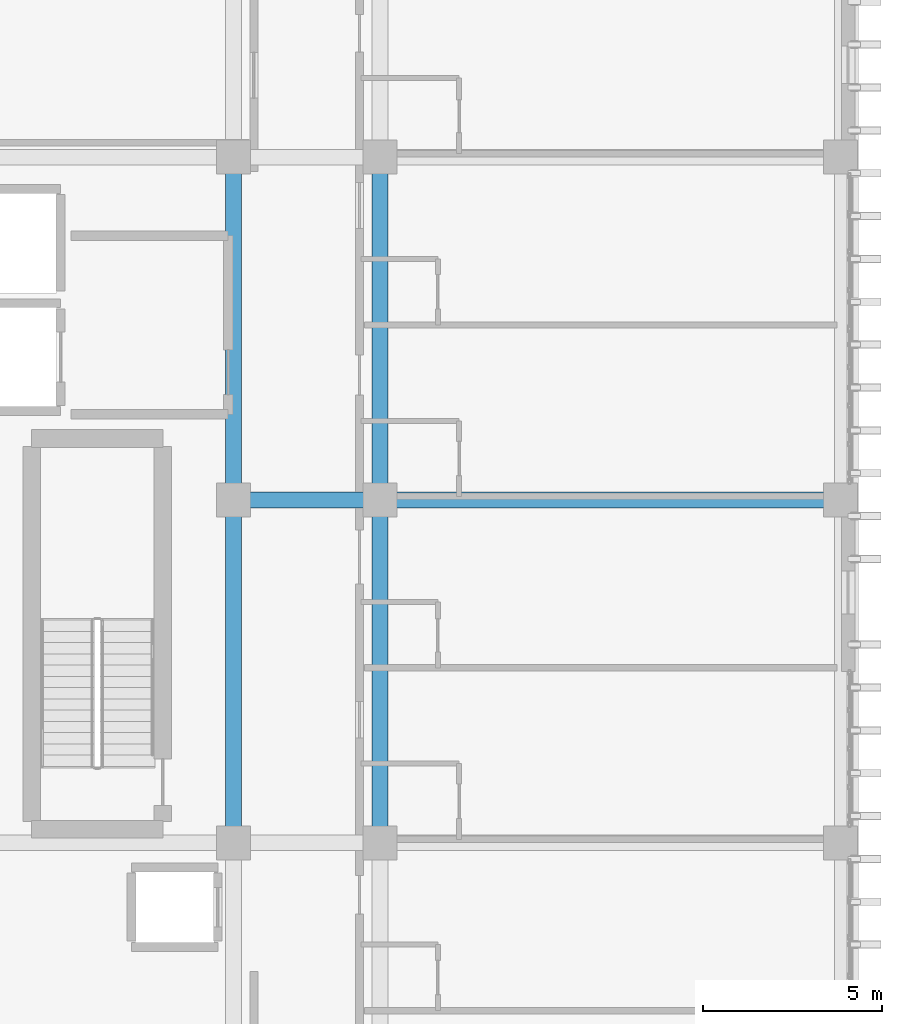
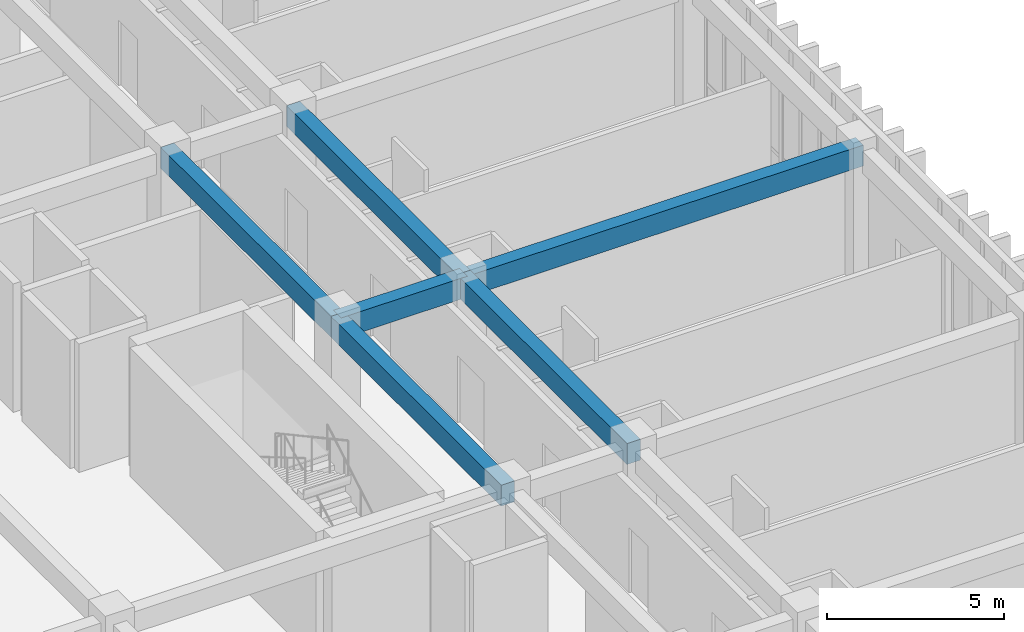
# One storey, part 70 of 133: 6 beams.
"""IFC4 building model written with IfcOpenShell, lengths in metres."""

from ifc_helpers import new_model, si_unit, direction, frame, origin, origin_2d, place, context, subcontext, project, spatial, rectangle, extrude, material, material_profile, profile_set, type_object, element, save


model = new_model("IFC4")

# Units and contexts
model_context = context("Model", 3, precision=1e-05, world=origin(), true_north=direction((0.0, 1.0)))
body_context = subcontext(model_context, "Body", "Model", "MODEL_VIEW")
ifc_project = project(units=[si_unit("LENGTHUNIT", "METRE"), si_unit("AREAUNIT", "SQUARE_METRE"), si_unit("VOLUMEUNIT", "CUBIC_METRE"), si_unit("PLANEANGLEUNIT", "RADIAN"), si_unit("MASSUNIT", "GRAM", prefix="KILO")], contexts=[model_context])

# Site, building, storey
site_placement = place(None, origin())
site = spatial("IfcSite", under=ifc_project, at=site_placement, CompositionType="ELEMENT")
building_placement = place(site_placement, origin())
building = spatial("IfcBuilding", under=site, at=building_placement, Name="Nakhvara Creek Congress Hotel", CompositionType="ELEMENT")
storey_placement = place(building_placement, frame((0.0, 0.0, 11.39990234375)))
storey = spatial("IfcBuildingStorey", under=building, at=storey_placement, Name="L02", CompositionType="ELEMENT", Elevation=11.39990234375)

# Beams
ifc_material = material(Name="Concrete C40/50", Category="concrete")
ifc_material_profile = material_profile(ifc_material, rectangle(XDim=0.43994140625, YDim=0.719970703125, at=origin_2d()), Name="RC-BM 440x720", Category="LoadBearing")
ifc_profile_set = profile_set([ifc_material_profile], Name="Concrete C40/50")
beam_type = type_object("IfcBeamType", Name="BM-RC-440X720", PredefinedType="BEAM", material=ifc_profile_set)
beam_1_placement = place(storey_placement, frame((162.35009765625, 76.800048828125, 4.06005859375), z_axis=(0.0, 1.0, 0.0), x_axis=(-1.0, 0.0, 0.0)))
element("IfcBeam", 1, at=beam_1_placement, inside=storey, type_object=beam_type, Name="Beam B12-L02-1615", PredefinedType="BEAM", context=body_context, shape_type="SweptSolid", body=[
    extrude(rectangle(XDim=0.43994140625, YDim=0.719970703125, at=origin_2d()), origin(), (0.0, 0.0, 1.0), 9.599853515625),
])
beam_2_placement = place(storey_placement, frame((162.35009765625, 86.39990234375, 4.06005859375), z_axis=(0.0, 1.0, 0.0), x_axis=(-1.0, 0.0, 0.0)))
element("IfcBeam", 2, at=beam_2_placement, inside=storey, type_object=beam_type, Name="Beam B12-L02-1617", PredefinedType="BEAM", context=body_context, shape_type="SweptSolid", body=[
    extrude(rectangle(XDim=0.43994140625, YDim=0.719970703125, at=origin_2d()), origin(), (0.0, 0.0, 1.0), 9.60009765625),
])
beam_3_placement = place(storey_placement, frame((162.35009765625, 86.39990234375, 4.06005859375), z_axis=(1.0, 0.0, 0.0), x_axis=(0.0, 1.0, 0.0)))
element("IfcBeam", 3, at=beam_3_placement, inside=storey, type_object=beam_type, Name="Beam B12-L02-1618", PredefinedType="BEAM", context=body_context, shape_type="SweptSolid", body=[
    extrude(rectangle(XDim=0.43994140625, YDim=0.719970703125, at=origin_2d()), origin(), (0.0, 0.0, 1.0), 4.099853515625),
])
beam_4_placement = place(storey_placement, frame((166.449951171875, 76.800048828125, 4.06005859375), z_axis=(0.0, 1.0, 0.0), x_axis=(-1.0, 0.0, 0.0)))
element("IfcBeam", 4, at=beam_4_placement, inside=storey, type_object=beam_type, Name="Beam B12-L02-1640", PredefinedType="BEAM", context=body_context, shape_type="SweptSolid", body=[
    extrude(rectangle(XDim=0.43994140625, YDim=0.719970703125, at=origin_2d()), origin(), (0.0, 0.0, 1.0), 9.599853515625),
])
beam_5_placement = place(storey_placement, frame((166.449951171875, 86.39990234375, 4.06005859375), z_axis=(0.0, 1.0, 0.0), x_axis=(-1.0, 0.0, 0.0)))
element("IfcBeam", 5, at=beam_5_placement, inside=storey, type_object=beam_type, Name="Beam B12-L02-1642", PredefinedType="BEAM", context=body_context, shape_type="SweptSolid", body=[
    extrude(rectangle(XDim=0.43994140625, YDim=0.719970703125, at=origin_2d()), origin(), (0.0, 0.0, 1.0), 9.60009765625),
])
beam_6_placement = place(storey_placement, frame((166.449951171875, 86.39990234375, 4.06005859375), z_axis=(1.0, 0.0, 0.0), x_axis=(0.0, 1.0, 0.0)))
element("IfcBeam", 6, at=beam_6_placement, inside=storey, type_object=beam_type, Name="Beam B12-L02-1643", PredefinedType="BEAM", context=body_context, shape_type="SweptSolid", body=[
    extrude(rectangle(XDim=0.43994140625, YDim=0.719970703125, at=origin_2d()), origin(), (0.0, 0.0, 1.0), 12.900146484375),
])

save(model, "model.ifc")
